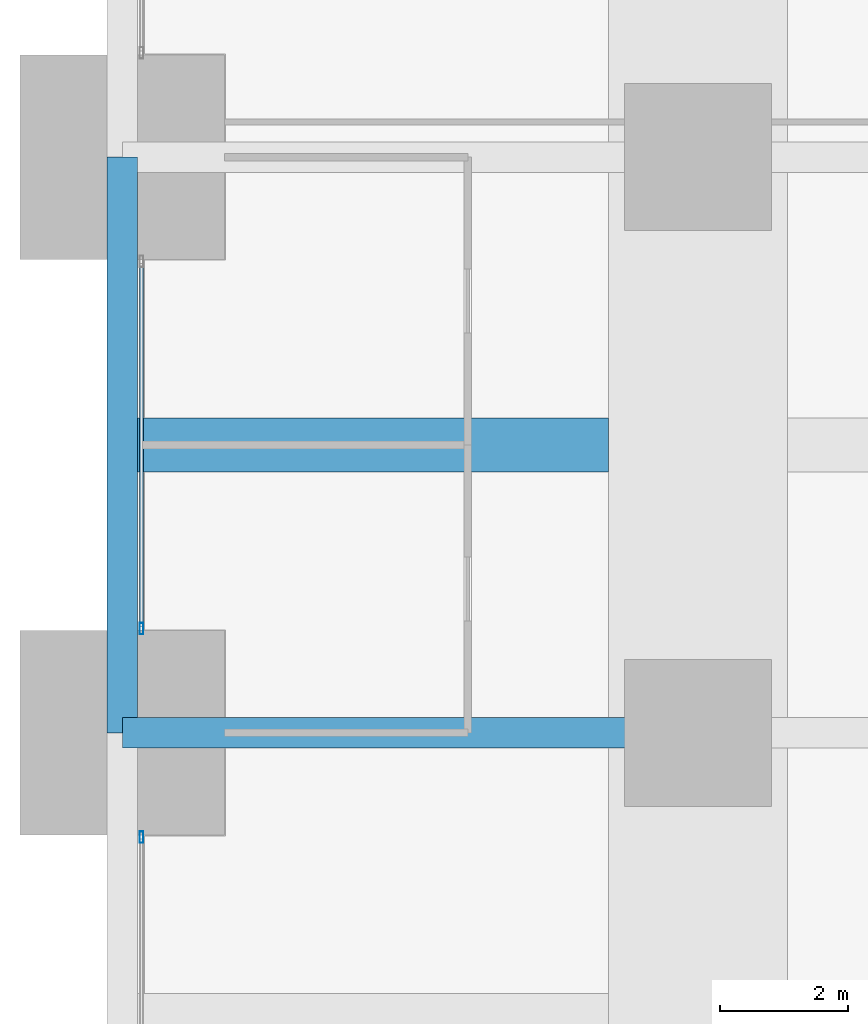
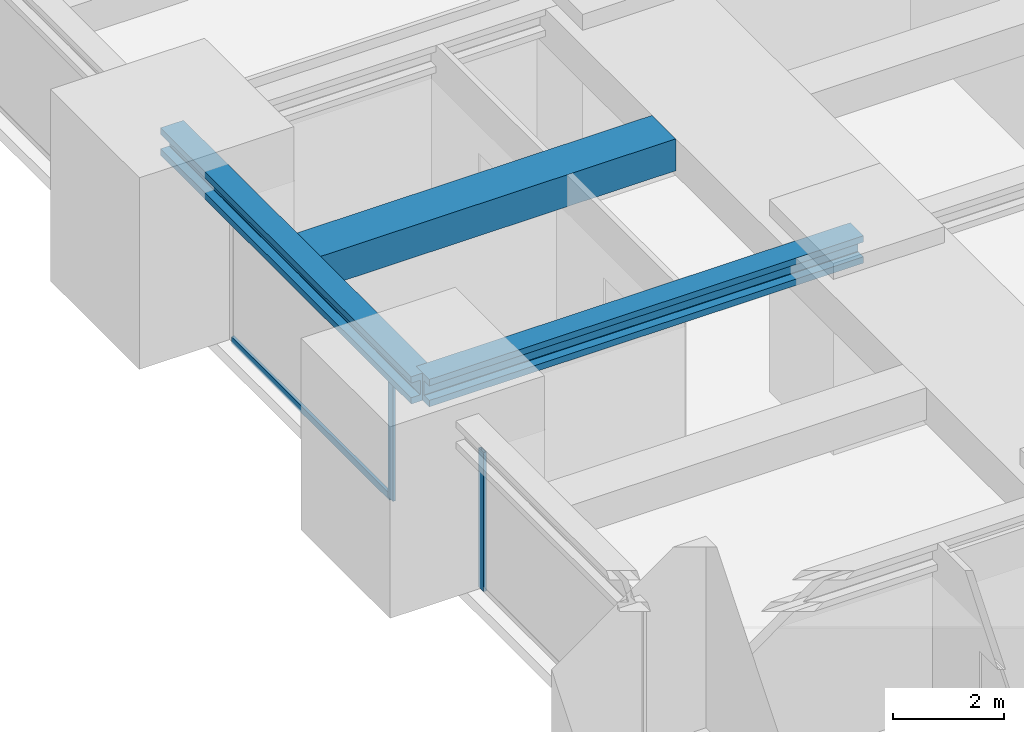
# One storey, part 10 of 42: 3 beams, 3 members, 2 elements without a shape of their own.
"""IFC4 building model written with IfcOpenShell, lengths in metres."""

from ifc_helpers import new_model, si_unit, direction, frame, origin, origin_2d, place, context, subcontext, project, spatial, rectangle, hollow_rectangle, i_section, extrude, material, material_profile, profile_set, type_object, element, aggregate, save


model = new_model("IFC4")

# Units and contexts
model_context = context("Model", 3, precision=1e-05, world=origin(), true_north=direction((0.0, 1.0)))
body_context = subcontext(model_context, "Body", "Model", "MODEL_VIEW")
ifc_project = project(units=[si_unit("LENGTHUNIT", "METRE"), si_unit("AREAUNIT", "SQUARE_METRE"), si_unit("VOLUMEUNIT", "CUBIC_METRE"), si_unit("PLANEANGLEUNIT", "RADIAN"), si_unit("MASSUNIT", "GRAM", prefix="KILO")], contexts=[model_context])

# Site, building, storey
site_placement = place(None, origin())
site = spatial("IfcSite", under=ifc_project, at=site_placement, CompositionType="ELEMENT")
building_placement = place(site_placement, origin())
building = spatial("IfcBuilding", under=site, at=building_placement, Name="Zorevar Civic Tower", CompositionType="ELEMENT")
storey_placement = place(building_placement, frame((0.0, 0.0, 75.800048828125)))
storey = spatial("IfcBuildingStorey", under=building, at=storey_placement, Name="L18", CompositionType="ELEMENT", Elevation=75.800048828125)

# Beams
ifc_material_1 = material(Name="Concrete C50/60", Category="concrete")
ifc_material_profile_1 = material_profile(ifc_material_1, rectangle(XDim=0.85009765625, YDim=0.699951171875, at=origin_2d()), Name="RC 850x700")
ifc_profile_set_1 = profile_set([ifc_material_profile_1], Name="Concrete C50/60")
beam_type_1 = type_object("IfcBeamType", Name="Beam RC 850x700", PredefinedType="BEAM", material=ifc_profile_set_1)
beam_1_placement = place(storey_placement, frame((0.238037109375, 31.5, 3.5), z_axis=(1.0, 0.0, 0.0), x_axis=(0.0, 1.0, 0.0)))
element("IfcBeam", 1, at=beam_1_placement, inside=storey, type_object=beam_type_1, Name="Secondary beam L19", PredefinedType="BEAM", context=body_context, shape_type="SweptSolid", body=[
    extrude(rectangle(XDim=0.85009765625, YDim=0.699951171875, at=origin_2d()), origin(), (0.0, 0.0, 1.0), 7.362060546875),
])
ifc_material_2 = material(Name="Steel S460M (HISTAR 460)", Category="steel")
ifc_material_profile_2 = material_profile(ifc_material_2, i_section(OverallWidth=0.47607421875, OverallDepth=0.60009765625, WebThickness=0.10009765625, FlangeThickness=0.139892578125, FilletRadius=0.014892578125, at=origin_2d()), Name="HD 400x1299")
ifc_profile_set_2 = profile_set([ifc_material_profile_2], Name="Steel S460M (HISTAR 460)")
beam_type_2 = type_object("IfcBeamType", Name="Belt chord HD 400x1299", PredefinedType="BEAM", material=ifc_profile_set_2)
beam_2_placement = place(storey_placement, frame((0.0, 27.0, 3.550048828125), z_axis=(0.0, 1.0, 0.0), x_axis=(-1.0, 0.0, 0.0)))
element("IfcBeam", 2, at=beam_2_placement, inside=storey, type_object=beam_type_2, Name="Belt chord L19", PredefinedType="BEAM", context=body_context, shape_type="SweptSolid", body=[
    extrude(i_section(OverallWidth=0.47607421875, OverallDepth=0.60009765625, WebThickness=0.10009765625, FlangeThickness=0.139892578125, FilletRadius=0.014892578125, at=origin_2d()), origin(), (0.0, 0.0, 1.0), 9.0),
])

# Curtain wall, member
ifc_material_3 = material(Name="Dark grey solar-control glass in black aluminium frame", Category="aluminium")
curtain_wall_type = type_object("IfcCurtainWallType", Name="Curtain wall CW2 low zone", PredefinedType="NOTDEFINED", material=ifc_material_3)
curtain_wall_1_placement = place(storey_placement, origin())
curtain_wall_1 = element("IfcCurtainWall", 3, at=curtain_wall_1_placement, inside=storey, type_object=curtain_wall_type, Name="CW2 L18", PredefinedType="NOTDEFINED")
ifc_material_4 = material(Name="Aluminium, black anodised", Category="aluminium")
ifc_material_profile_3 = material_profile(ifc_material_4, hollow_rectangle(XDim=0.06005859375, YDim=0.179931640625, WallThickness=0.00390625, at=origin_2d()), Name="AL 180x60x4")
ifc_profile_set_3 = profile_set([ifc_material_profile_3], Name="Aluminium, black anodised")
member_type_1 = type_object("IfcMemberType", Name="CW2 mullion AL 180x60x4", PredefinedType="MULLION", material=ifc_profile_set_3)
member_1_placement = place(storey_placement, frame((0.300048828125, 25.3701171875, 0.0), z_axis=(0.0, 0.0, 1.0), x_axis=(-1.0, 0.0, 0.0)))
member_1 = element("IfcMember", 4, at=member_1_placement, type_object=member_type_1, Name="CW2 mullion 2", PredefinedType="MULLION", context=body_context, shape_type="SweptSolid", body=[
    extrude(hollow_rectangle(XDim=0.06005859375, YDim=0.179931640625, WallThickness=0.00390625, at=origin_2d()), origin(), (0.0, 0.0, 1.0), 3.050048828125),
])
aggregate(curtain_wall_1, [member_1])

# Curtain wall, members
curtain_wall_2_placement = place(storey_placement, origin())
curtain_wall_2 = element("IfcCurtainWall", 5, at=curtain_wall_2_placement, inside=storey, type_object=curtain_wall_type, Name="CW2 L18", PredefinedType="NOTDEFINED")
member_2_placement = place(storey_placement, frame((0.300048828125, 28.6298828125, 0.0), z_axis=(0.0, 0.0, 1.0), x_axis=(-1.0, 0.0, 0.0)))
member_2 = element("IfcMember", 6, at=member_2_placement, type_object=member_type_1, Name="CW2 mullion 1", PredefinedType="MULLION", context=body_context, shape_type="SweptSolid", body=[
    extrude(hollow_rectangle(XDim=0.06005859375, YDim=0.179931640625, WallThickness=0.00390625, at=origin_2d()), origin(), (0.0, 0.0, 1.0), 3.050048828125),
])
ifc_material_5 = material(Name="Aluminium, black anodised", Category="aluminium")
ifc_material_profile_4 = material_profile(ifc_material_5, hollow_rectangle(XDim=0.06005859375, YDim=0.14990234375, WallThickness=0.00390625, at=origin_2d()), Name="AL 150x60x4")
ifc_profile_set_4 = profile_set([ifc_material_profile_4], Name="Aluminium, black anodised")
member_type_2 = type_object("IfcMemberType", Name="CW2 transom AL 150x60x4", PredefinedType="USERDEFINED", material=ifc_profile_set_4)
member_3_placement = place(storey_placement, frame((0.300048828125, 28.659912109375, 0.030029296875), z_axis=(0.0, 1.0, 0.0), x_axis=(-1.0, 0.0, 0.0)))
member_3 = element("IfcMember", 7, at=member_3_placement, type_object=member_type_2, Name="CW2 sill transom", ObjectType="TRANSOM", PredefinedType="USERDEFINED", context=body_context, shape_type="SweptSolid", body=[
    extrude(hollow_rectangle(XDim=0.06005859375, YDim=0.14990234375, WallThickness=0.00390625, at=origin_2d()), origin(), (0.0, 0.0, 1.0), 5.68017578125),
])
aggregate(curtain_wall_2, [member_2, member_3])

# Beam
ifc_material_6 = material(Name="Steel S460M (HISTAR 460)", Category="steel")
ifc_material_profile_5 = material_profile(ifc_material_6, i_section(OverallWidth=0.47607421875, OverallDepth=0.60009765625, WebThickness=0.10009765625, FlangeThickness=0.139892578125, FilletRadius=0.014892578125, at=origin_2d()), Name="HD 400x1299")
ifc_profile_set_5 = profile_set([ifc_material_profile_5], Name="Steel S460M (HISTAR 460)")
beam_type_3 = type_object("IfcBeamType", Name="Outrigger chord HD 400x1299", PredefinedType="BEAM", material=ifc_profile_set_5)
beam_3_placement = place(storey_placement, frame((0.0, 27.0, 3.550048828125), z_axis=(1.0, 0.0, 0.0), x_axis=(0.0, 1.0, 0.0)))
element("IfcBeam", 8, at=beam_3_placement, inside=storey, type_object=beam_type_3, Name="Outrigger chord L19", PredefinedType="BEAM", context=body_context, shape_type="SweptSolid", body=[
    extrude(i_section(OverallWidth=0.47607421875, OverallDepth=0.60009765625, WebThickness=0.10009765625, FlangeThickness=0.139892578125, FilletRadius=0.014892578125, at=origin_2d()), origin(), (0.0, 0.0, 1.0), 9.0),
])

save(model, "model.ifc")
